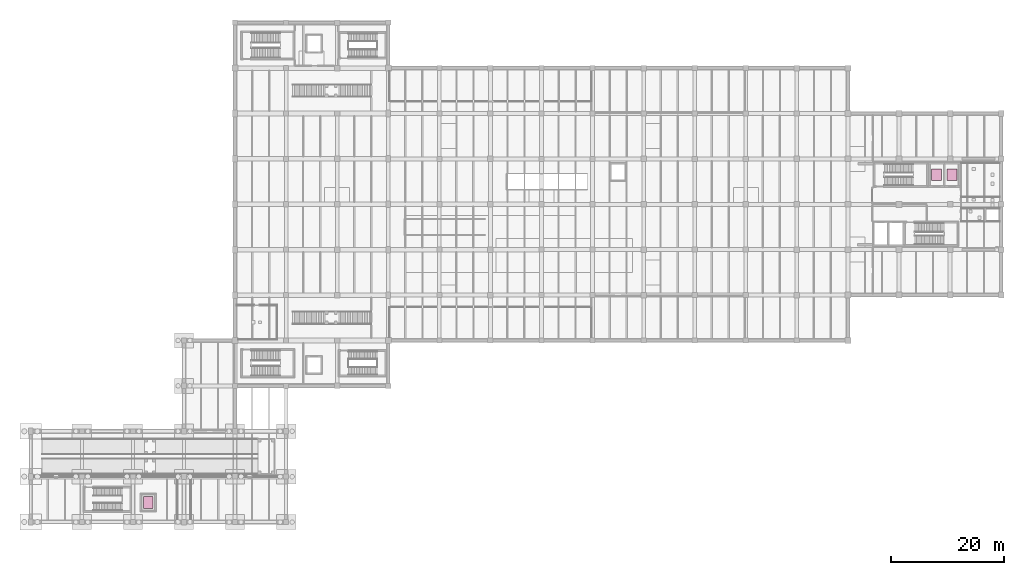
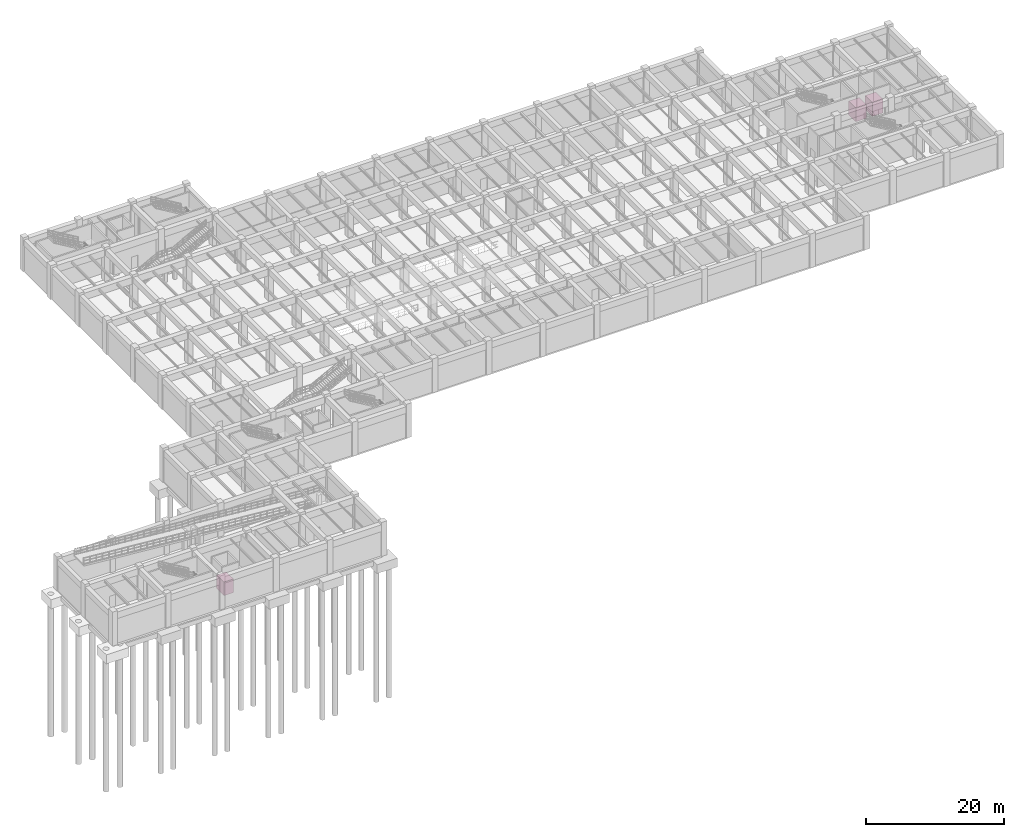
# One storey, part 20 of 20: 3 transport elements.
"""IFC4 building model written with IfcOpenShell, lengths in metres."""

from ifc_helpers import new_model, si_unit, derived_unit, direction, frame, origin, origin_2d, place, context, subcontext, project, spatial, rectangle, extrude, material, type_object, element, save


model = new_model("IFC4")

# Units and contexts
model_context = context("Model", 3, precision=1e-05, world=origin(), true_north=direction((0.0, 1.0)))
body_context = subcontext(model_context, "Body", "Model", "MODEL_VIEW")
ifc_project = project(units=[si_unit("LENGTHUNIT", "METRE"), si_unit("AREAUNIT", "SQUARE_METRE"), si_unit("VOLUMEUNIT", "CUBIC_METRE"), si_unit("PLANEANGLEUNIT", "RADIAN"), si_unit("MASSUNIT", "GRAM", prefix="KILO"), derived_unit("THERMALTRANSMITTANCEUNIT", [(si_unit("MASSUNIT", "GRAM", prefix="KILO"), 1), (si_unit("TIMEUNIT", "SECOND"), -3), (si_unit("THERMODYNAMICTEMPERATUREUNIT", "KELVIN"), -1)])], contexts=[model_context])

# Site, building, storey
site_placement = place(None, origin())
site = spatial("IfcSite", under=ifc_project, at=site_placement, CompositionType="ELEMENT")
building_placement = place(site_placement, origin())
building = spatial("IfcBuilding", under=site, at=building_placement, Name="Zhenchuan Archway Interchange", CompositionType="ELEMENT")
storey_placement = place(building_placement, frame((0.0, 0.0, -6.0)))
storey = spatial("IfcBuildingStorey", under=building, at=storey_placement, Name="B1", CompositionType="ELEMENT", Elevation=-6.0)

# Transport elements
ifc_material = material(Name="Stainless Steel 304", Category="steel")
transport_element_type_1 = type_object("IfcTransportElementType", Name="LIFT_PAX_1600", PredefinedType="ELEVATOR", material=ifc_material)
transport_element_placement = place(storey_placement, frame((20.699951171875, 3.449951171875, 0.0), z_axis=(0.0, 0.0, 1.0), x_axis=(1.0, 0.0, 0.0)))
element("IfcTransportElement", 1, at=transport_element_placement, inside=storey, type_object=transport_element_type_1, Name="Passenger lift car LF-03", PredefinedType="ELEVATOR", context=body_context, shape_type="SweptSolid", body=[
    extrude(rectangle(XDim=1.60009765625, YDim=2.10009765625, at=origin_2d()), origin(), (0.0, 0.0, 1.0), 2.39990234375),
])
transport_element_type_2 = type_object("IfcTransportElementType", Name="LIFT_PAX_1800", PredefinedType="ELEVATOR", material=ifc_material)
for number, where, z_axis, x_axis, name in (
    (2, (159.60009765625, 61.199951171875, 0.0), (0.0, 0.0, 1.0), (1.0, 0.0, 0.0), "Passenger lift car LF-06"),
    (3, (162.35009765625, 61.199951171875, 0.0), (0.0, 0.0, 1.0), (1.0, 0.0, 0.0), "Passenger lift car LF-07"),
):
    element("IfcTransportElement", number, at=place(storey_placement, frame(where, z_axis=z_axis, x_axis=x_axis)), inside=storey, type_object=transport_element_type_2, Name=name, PredefinedType="ELEVATOR", context=body_context, shape_type="SweptSolid", body=[
        extrude(rectangle(XDim=1.800048828125, YDim=2.10009765625, at=origin_2d()), origin(), (0.0, 0.0, 1.0), 2.39990234375),
    ])

save(model, "model.ifc")
